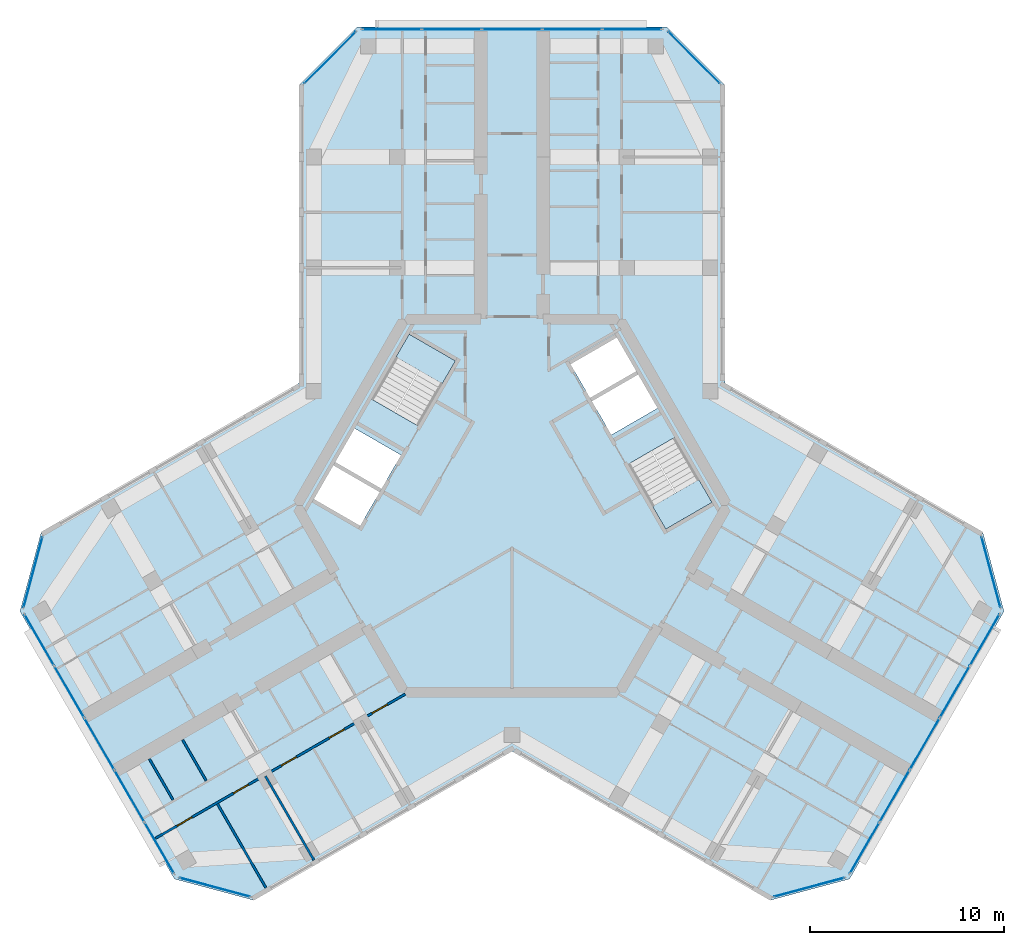
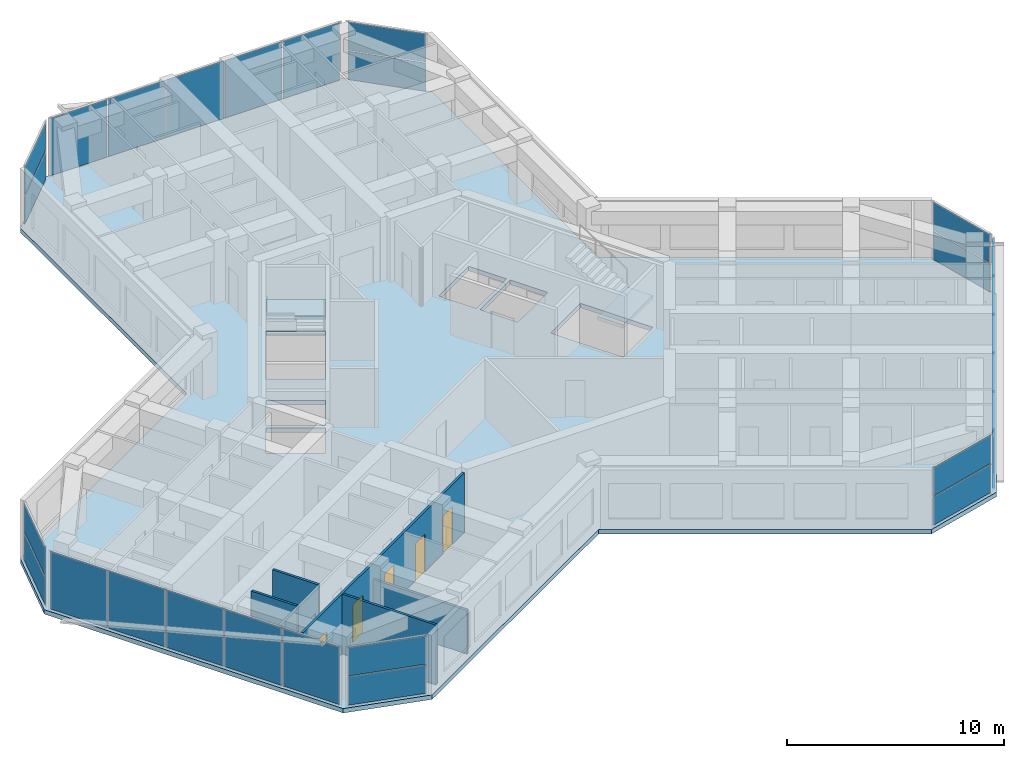
# One storey, part 6 of 14: 27 plates, 5 doors, 5 walls, 3 slabs, 5 openings, 11 elements without a shape of their own.
"""IFC4 building model written with IfcOpenShell, lengths in metres."""

from ifc_helpers import new_model, si_unit, direction, frame, frame_2d, origin, origin_2d, place, context, subcontext, project, spatial, polyline, rectangle, outline, extrude, material, layer, layer_set, type_object, element, fill, aggregate, save


model = new_model("IFC4")

# Units and contexts
model_context = context("Model", 3, precision=1e-05, world=origin(), true_north=direction((0.0, 1.0)))
body_context = subcontext(model_context, "Body", "Model", "MODEL_VIEW")
ifc_project = project(units=[si_unit("LENGTHUNIT", "METRE"), si_unit("AREAUNIT", "SQUARE_METRE"), si_unit("VOLUMEUNIT", "CUBIC_METRE"), si_unit("PLANEANGLEUNIT", "RADIAN"), si_unit("MASSUNIT", "GRAM", prefix="KILO")], contexts=[model_context])

# Site, building, storey
site_placement = place(None, origin())
site = spatial("IfcSite", under=ifc_project, at=site_placement, CompositionType="ELEMENT")
building_placement = place(site_placement, origin())
building = spatial("IfcBuilding", under=site, at=building_placement, Name="Kosmar Iwan School Tower", CompositionType="ELEMENT")
storey_placement = place(building_placement, frame((0.0, 0.0, 271.0)))
storey = spatial("IfcBuildingStorey", under=building, at=storey_placement, Name="L68", CompositionType="ELEMENT", Elevation=271.0)

# Curtain wall, plates
ifc_material_1 = material(Name="Dark glass in black aluminium frame", Category="aluminium")
curtain_wall_type_1 = type_object("IfcCurtainWallType", Name="Chamfer curtain wall dark glass", PredefinedType="USERDEFINED", material=ifc_material_1)
curtain_wall_1_placement = place(storey_placement, origin())
curtain_wall_1 = element("IfcCurtainWall", 1, at=curtain_wall_1_placement, inside=storey, type_object=curtain_wall_type_1, Name="Curtain wall L68-F02", ObjectType="FACETED CURTAIN WALL", PredefinedType="USERDEFINED")
ifc_material_2 = material(Name="Dark glass", Category="glass")
ifc_layer_1 = layer(ifc_material_2, 0.028076171875)
ifc_layer_set_1 = layer_set([ifc_layer_1], Name="Dark glass panel 28")
plate_type = type_object("IfcPlateType", Name="Dark glass panel 28", PredefinedType="CURTAIN_PANEL", material=ifc_layer_set_1)
plate_1_placement = place(storey_placement, frame((15.291015625, -19.63818359375, 0.06005859375), z_axis=(0.0, 0.0, 1.0), x_axis=(0.965925875495, 0.258818861462, 0.0)))
plate_1 = element("IfcPlate", 2, at=plate_1_placement, type_object=plate_type, Name="CW2 panel 1.1", PredefinedType="CURTAIN_PANEL", context=body_context, shape_type="SweptSolid", body=[
    extrude(rectangle(XDim=3.718994140625, YDim=0.028076171875, at=origin_2d()), origin(), (0.0, 0.0, 1.0), 1.5849609375),
])
plate_2_placement = place(storey_placement, frame((15.291015625, -19.63818359375, 1.705078125), z_axis=(0.0, 0.0, 1.0), x_axis=(0.965925875495, 0.258818861462, 0.0)))
plate_2 = element("IfcPlate", 3, at=plate_2_placement, type_object=plate_type, Name="CW2 panel 1.2", PredefinedType="CURTAIN_PANEL", context=body_context, shape_type="SweptSolid", body=[
    extrude(rectangle(XDim=3.718994140625, YDim=0.028076171875, at=origin_2d()), origin(), (0.0, 0.0, 1.0), 1.5849609375),
])
aggregate(curtain_wall_1, [plate_1, plate_2])

ifc_material_3 = material(Name="Dark glass in black aluminium frame", Category="aluminium")
curtain_wall_type_2 = type_object("IfcCurtainWallType", Name="Tower curtain wall dark glass", PredefinedType="USERDEFINED", material=ifc_material_3)
curtain_wall_2_placement = place(storey_placement, origin())
curtain_wall_2 = element("IfcCurtainWall", 4, at=curtain_wall_2_placement, inside=storey, type_object=curtain_wall_type_2, Name="Curtain wall L68-F03", ObjectType="UNITISED CURTAIN WALL", PredefinedType="USERDEFINED")
plate_3_placement = place(storey_placement, frame((18.1474609375, -17.61767578125, 0.06005859375), z_axis=(0.0, 0.0, 1.0), x_axis=(0.499999997325, 0.866025405329, 0.0)))
plate_3 = element("IfcPlate", 5, at=plate_3_placement, type_object=plate_type, Name="CW1 panel 1.1", PredefinedType="CURTAIN_PANEL", context=body_context, shape_type="SweptSolid", body=[
    extrude(rectangle(XDim=3.00927734375, YDim=0.028076171875, at=origin_2d()), origin(), (0.0, 0.0, 1.0), 3.22998046875),
])
plate_4_placement = place(storey_placement, frame((19.689697265625, -14.946533203125, 0.06005859375), z_axis=(0.0, 0.0, 1.0), x_axis=(0.499999997325, 0.866025405329, 0.0)))
plate_4 = element("IfcPlate", 6, at=plate_4_placement, type_object=plate_type, Name="CW1 panel 2.1", PredefinedType="CURTAIN_PANEL", context=body_context, shape_type="SweptSolid", body=[
    extrude(rectangle(XDim=3.039306640625, YDim=0.028076171875, at=origin_2d()), origin(), (0.0, 0.0, 1.0), 3.22998046875),
])
plate_5_placement = place(storey_placement, frame((21.2392578125, -12.262451171875, 0.06005859375), z_axis=(0.0, 0.0, 1.0), x_axis=(0.499999997325, 0.866025405329, 0.0)))
plate_5 = element("IfcPlate", 7, at=plate_5_placement, type_object=plate_type, Name="CW1 panel 3.1", PredefinedType="CURTAIN_PANEL", context=body_context, shape_type="SweptSolid", body=[
    extrude(rectangle(XDim=3.039306640625, YDim=0.028076171875, at=origin_2d()), origin(), (0.0, 0.0, 1.0), 3.22998046875),
])
plate_6_placement = place(storey_placement, frame((22.788818359375, -9.578369140625, 0.06005859375), z_axis=(0.0, 0.0, 1.0), x_axis=(0.499999997325, 0.866025405329, 0.0)))
plate_6 = element("IfcPlate", 8, at=plate_6_placement, type_object=plate_type, Name="CW1 panel 4.1", PredefinedType="CURTAIN_PANEL", context=body_context, shape_type="SweptSolid", body=[
    extrude(rectangle(XDim=3.039306640625, YDim=0.028076171875, at=origin_2d()), origin(), (0.0, 0.0, 1.0), 3.22998046875),
])
plate_7_placement = place(storey_placement, frame((24.3310546875, -6.907470703125, 0.06005859375), z_axis=(0.0, 0.0, 1.0), x_axis=(0.499999997325, 0.866025405329, 0.0)))
plate_7 = element("IfcPlate", 9, at=plate_7_placement, type_object=plate_type, Name="CW1 panel 5.1", PredefinedType="CURTAIN_PANEL", context=body_context, shape_type="SweptSolid", body=[
    extrude(rectangle(XDim=3.00927734375, YDim=0.028076171875, at=origin_2d()), origin(), (0.0, 0.0, 1.0), 3.22998046875),
])
aggregate(curtain_wall_2, [plate_3, plate_4, plate_5, plate_6, plate_7])

curtain_wall_3_placement = place(storey_placement, origin())
curtain_wall_3 = element("IfcCurtainWall", 10, at=curtain_wall_3_placement, inside=storey, type_object=curtain_wall_type_1, Name="Curtain wall L68-F04", ObjectType="FACETED CURTAIN WALL", PredefinedType="USERDEFINED")
plate_8_placement = place(storey_placement, frame((24.65283203125, -3.42333984375, 0.06005859375), z_axis=(0.0, 0.0, 1.0), x_axis=(-0.258818861462, 0.965925875495, 0.0)))
plate_8 = element("IfcPlate", 11, at=plate_8_placement, type_object=plate_type, Name="CW2 panel 1.1", PredefinedType="CURTAIN_PANEL", context=body_context, shape_type="SweptSolid", body=[
    extrude(rectangle(XDim=3.718994140625, YDim=0.028076171875, at=origin_2d()), origin(), (0.0, 0.0, 1.0), 1.5849609375),
])
plate_9_placement = place(storey_placement, frame((24.65283203125, -3.42333984375, 1.705078125), z_axis=(0.0, 0.0, 1.0), x_axis=(-0.258818861462, 0.965925875495, 0.0)))
plate_9 = element("IfcPlate", 12, at=plate_9_placement, type_object=plate_type, Name="CW2 panel 1.2", PredefinedType="CURTAIN_PANEL", context=body_context, shape_type="SweptSolid", body=[
    extrude(rectangle(XDim=3.718994140625, YDim=0.028076171875, at=origin_2d()), origin(), (0.0, 0.0, 1.0), 1.5849609375),
])
aggregate(curtain_wall_3, [plate_8, plate_9])

curtain_wall_4_placement = place(storey_placement, origin())
curtain_wall_4 = element("IfcCurtainWall", 13, at=curtain_wall_4_placement, inside=storey, type_object=curtain_wall_type_1, Name="Curtain wall L68-F07", ObjectType="FACETED CURTAIN WALL", PredefinedType="USERDEFINED")
plate_10_placement = place(storey_placement, frame((9.361572265625, 23.0615234375, 0.06005859375), z_axis=(0.0, 0.0, 1.0), x_axis=(-0.707106781187, 0.707106781187, 0.0)))
plate_10 = element("IfcPlate", 14, at=plate_10_placement, type_object=plate_type, Name="CW2 panel 1.1", PredefinedType="CURTAIN_PANEL", context=body_context, shape_type="SweptSolid", body=[
    extrude(rectangle(XDim=3.718994140625, YDim=0.028076171875, at=origin_2d()), origin(), (0.0, 0.0, 1.0), 1.5849609375),
])
plate_11_placement = place(storey_placement, frame((9.361572265625, 23.0615234375, 1.705078125), z_axis=(0.0, 0.0, 1.0), x_axis=(-0.707106781187, 0.707106781187, 0.0)))
plate_11 = element("IfcPlate", 15, at=plate_11_placement, type_object=plate_type, Name="CW2 panel 1.2", PredefinedType="CURTAIN_PANEL", context=body_context, shape_type="SweptSolid", body=[
    extrude(rectangle(XDim=3.718994140625, YDim=0.028076171875, at=origin_2d()), origin(), (0.0, 0.0, 1.0), 1.5849609375),
])
aggregate(curtain_wall_4, [plate_10, plate_11])

curtain_wall_5_placement = place(storey_placement, origin())
curtain_wall_5 = element("IfcCurtainWall", 16, at=curtain_wall_5_placement, inside=storey, type_object=curtain_wall_type_2, Name="Curtain wall L68-F08", ObjectType="UNITISED CURTAIN WALL", PredefinedType="USERDEFINED")
plate_12_placement = place(storey_placement, frame((6.18359375, 24.52490234375, 0.06005859375), z_axis=(0.0, 0.0, 1.0), x_axis=(-1.0, 0.0, 0.0)))
plate_12 = element("IfcPlate", 17, at=plate_12_placement, type_object=plate_type, Name="CW1 panel 1.1", PredefinedType="CURTAIN_PANEL", context=body_context, shape_type="SweptSolid", body=[
    extrude(rectangle(XDim=3.00927734375, YDim=0.028076171875, at=origin_2d()), origin(), (0.0, 0.0, 1.0), 3.22998046875),
])
plate_13_placement = place(storey_placement, frame((3.099365234375, 24.52490234375, 0.06005859375), z_axis=(0.0, 0.0, 1.0), x_axis=(-1.0, 0.0, 0.0)))
plate_13 = element("IfcPlate", 18, at=plate_13_placement, type_object=plate_type, Name="CW1 panel 2.1", PredefinedType="CURTAIN_PANEL", context=body_context, shape_type="SweptSolid", body=[
    extrude(rectangle(XDim=3.039306640625, YDim=0.028076171875, at=origin_2d()), origin(), (0.0, 0.0, 1.0), 3.22998046875),
])
plate_14_placement = place(storey_placement, frame((0.0, 24.52490234375, 0.06005859375), z_axis=(0.0, 0.0, 1.0), x_axis=(-1.0, 0.0, 0.0)))
plate_14 = element("IfcPlate", 19, at=plate_14_placement, type_object=plate_type, Name="CW1 panel 3.1", PredefinedType="CURTAIN_PANEL", context=body_context, shape_type="SweptSolid", body=[
    extrude(rectangle(XDim=3.039306640625, YDim=0.028076171875, at=origin_2d()), origin(), (0.0, 0.0, 1.0), 3.22998046875),
])
plate_15_placement = place(storey_placement, frame((-3.099365234375, 24.52490234375, 0.06005859375), z_axis=(0.0, 0.0, 1.0), x_axis=(-1.0, 0.0, 0.0)))
plate_15 = element("IfcPlate", 20, at=plate_15_placement, type_object=plate_type, Name="CW1 panel 4.1", PredefinedType="CURTAIN_PANEL", context=body_context, shape_type="SweptSolid", body=[
    extrude(rectangle(XDim=3.039306640625, YDim=0.028076171875, at=origin_2d()), origin(), (0.0, 0.0, 1.0), 3.22998046875),
])
plate_16_placement = place(storey_placement, frame((-6.18359375, 24.52490234375, 0.06005859375), z_axis=(0.0, 0.0, 1.0), x_axis=(-1.0, 0.0, 0.0)))
plate_16 = element("IfcPlate", 21, at=plate_16_placement, type_object=plate_type, Name="CW1 panel 5.1", PredefinedType="CURTAIN_PANEL", context=body_context, shape_type="SweptSolid", body=[
    extrude(rectangle(XDim=3.00927734375, YDim=0.028076171875, at=origin_2d()), origin(), (0.0, 0.0, 1.0), 3.22998046875),
])
aggregate(curtain_wall_5, [plate_12, plate_13, plate_14, plate_15, plate_16])

curtain_wall_6_placement = place(storey_placement, origin())
curtain_wall_6 = element("IfcCurtainWall", 22, at=curtain_wall_6_placement, inside=storey, type_object=curtain_wall_type_1, Name="Curtain wall L68-F09", ObjectType="FACETED CURTAIN WALL", PredefinedType="USERDEFINED")
plate_17_placement = place(storey_placement, frame((-9.361572265625, 23.0615234375, 0.06005859375), z_axis=(0.0, 0.0, 1.0), x_axis=(-0.707106781187, -0.707106781187, 0.0)))
plate_17 = element("IfcPlate", 23, at=plate_17_placement, type_object=plate_type, Name="CW2 panel 1.1", PredefinedType="CURTAIN_PANEL", context=body_context, shape_type="SweptSolid", body=[
    extrude(rectangle(XDim=3.718994140625, YDim=0.028076171875, at=origin_2d()), origin(), (0.0, 0.0, 1.0), 1.5849609375),
])
plate_18_placement = place(storey_placement, frame((-9.361572265625, 23.0615234375, 1.705078125), z_axis=(0.0, 0.0, 1.0), x_axis=(-0.707106781187, -0.707106781187, 0.0)))
plate_18 = element("IfcPlate", 24, at=plate_18_placement, type_object=plate_type, Name="CW2 panel 1.2", PredefinedType="CURTAIN_PANEL", context=body_context, shape_type="SweptSolid", body=[
    extrude(rectangle(XDim=3.718994140625, YDim=0.028076171875, at=origin_2d()), origin(), (0.0, 0.0, 1.0), 1.5849609375),
])
aggregate(curtain_wall_6, [plate_17, plate_18])

curtain_wall_7_placement = place(storey_placement, origin())
curtain_wall_7 = element("IfcCurtainWall", 25, at=curtain_wall_7_placement, inside=storey, type_object=curtain_wall_type_1, Name="Curtain wall L68-F12", ObjectType="FACETED CURTAIN WALL", PredefinedType="USERDEFINED")
plate_19_placement = place(storey_placement, frame((-24.65283203125, -3.42333984375, 0.06005859375), z_axis=(0.0, 0.0, 1.0), x_axis=(-0.258818861462, -0.965925875495, 0.0)))
plate_19 = element("IfcPlate", 26, at=plate_19_placement, type_object=plate_type, Name="CW2 panel 1.1", PredefinedType="CURTAIN_PANEL", context=body_context, shape_type="SweptSolid", body=[
    extrude(rectangle(XDim=3.718994140625, YDim=0.028076171875, at=origin_2d()), origin(), (0.0, 0.0, 1.0), 1.5849609375),
])
plate_20_placement = place(storey_placement, frame((-24.65283203125, -3.42333984375, 1.705078125), z_axis=(0.0, 0.0, 1.0), x_axis=(-0.258818861462, -0.965925875495, 0.0)))
plate_20 = element("IfcPlate", 27, at=plate_20_placement, type_object=plate_type, Name="CW2 panel 1.2", PredefinedType="CURTAIN_PANEL", context=body_context, shape_type="SweptSolid", body=[
    extrude(rectangle(XDim=3.718994140625, YDim=0.028076171875, at=origin_2d()), origin(), (0.0, 0.0, 1.0), 1.5849609375),
])
aggregate(curtain_wall_7, [plate_19, plate_20])

curtain_wall_8_placement = place(storey_placement, origin())
curtain_wall_8 = element("IfcCurtainWall", 28, at=curtain_wall_8_placement, inside=storey, type_object=curtain_wall_type_2, Name="Curtain wall L68-F13", ObjectType="UNITISED CURTAIN WALL", PredefinedType="USERDEFINED")
plate_21_placement = place(storey_placement, frame((-24.3310546875, -6.907470703125, 0.06005859375), z_axis=(0.0, 0.0, 1.0), x_axis=(0.499999997325, -0.866025405329, 0.0)))
plate_21 = element("IfcPlate", 29, at=plate_21_placement, type_object=plate_type, Name="CW1 panel 1.1", PredefinedType="CURTAIN_PANEL", context=body_context, shape_type="SweptSolid", body=[
    extrude(rectangle(XDim=3.00927734375, YDim=0.028076171875, at=origin_2d()), origin(), (0.0, 0.0, 1.0), 3.22998046875),
])
plate_22_placement = place(storey_placement, frame((-22.788818359375, -9.578369140625, 0.06005859375), z_axis=(0.0, 0.0, 1.0), x_axis=(0.499999997325, -0.866025405329, 0.0)))
plate_22 = element("IfcPlate", 30, at=plate_22_placement, type_object=plate_type, Name="CW1 panel 2.1", PredefinedType="CURTAIN_PANEL", context=body_context, shape_type="SweptSolid", body=[
    extrude(rectangle(XDim=3.039306640625, YDim=0.028076171875, at=origin_2d()), origin(), (0.0, 0.0, 1.0), 3.22998046875),
])
plate_23_placement = place(storey_placement, frame((-21.2392578125, -12.262451171875, 0.06005859375), z_axis=(0.0, 0.0, 1.0), x_axis=(0.499999997325, -0.866025405329, 0.0)))
plate_23 = element("IfcPlate", 31, at=plate_23_placement, type_object=plate_type, Name="CW1 panel 3.1", PredefinedType="CURTAIN_PANEL", context=body_context, shape_type="SweptSolid", body=[
    extrude(rectangle(XDim=3.039306640625, YDim=0.028076171875, at=origin_2d()), origin(), (0.0, 0.0, 1.0), 3.22998046875),
])
plate_24_placement = place(storey_placement, frame((-19.689697265625, -14.946533203125, 0.06005859375), z_axis=(0.0, 0.0, 1.0), x_axis=(0.499999997325, -0.866025405329, 0.0)))
plate_24 = element("IfcPlate", 32, at=plate_24_placement, type_object=plate_type, Name="CW1 panel 4.1", PredefinedType="CURTAIN_PANEL", context=body_context, shape_type="SweptSolid", body=[
    extrude(rectangle(XDim=3.039306640625, YDim=0.028076171875, at=origin_2d()), origin(), (0.0, 0.0, 1.0), 3.22998046875),
])
plate_25_placement = place(storey_placement, frame((-18.1474609375, -17.61767578125, 0.06005859375), z_axis=(0.0, 0.0, 1.0), x_axis=(0.499999997325, -0.866025405329, 0.0)))
plate_25 = element("IfcPlate", 33, at=plate_25_placement, type_object=plate_type, Name="CW1 panel 5.1", PredefinedType="CURTAIN_PANEL", context=body_context, shape_type="SweptSolid", body=[
    extrude(rectangle(XDim=3.00927734375, YDim=0.028076171875, at=origin_2d()), origin(), (0.0, 0.0, 1.0), 3.22998046875),
])
aggregate(curtain_wall_8, [plate_21, plate_22, plate_23, plate_24, plate_25])

curtain_wall_9_placement = place(storey_placement, origin())
curtain_wall_9 = element("IfcCurtainWall", 34, at=curtain_wall_9_placement, inside=storey, type_object=curtain_wall_type_1, Name="Curtain wall L68-F14", ObjectType="FACETED CURTAIN WALL", PredefinedType="USERDEFINED")
plate_26_placement = place(storey_placement, frame((-15.291015625, -19.63818359375, 0.06005859375), z_axis=(0.0, 0.0, 1.0), x_axis=(0.965925875495, -0.258818861462, 0.0)))
plate_26 = element("IfcPlate", 35, at=plate_26_placement, type_object=plate_type, Name="CW2 panel 1.1", PredefinedType="CURTAIN_PANEL", context=body_context, shape_type="SweptSolid", body=[
    extrude(rectangle(XDim=3.718994140625, YDim=0.028076171875, at=origin_2d()), origin(), (0.0, 0.0, 1.0), 1.5849609375),
])
plate_27_placement = place(storey_placement, frame((-15.291015625, -19.63818359375, 1.705078125), z_axis=(0.0, 0.0, 1.0), x_axis=(0.965925875495, -0.258818861462, 0.0)))
plate_27 = element("IfcPlate", 36, at=plate_27_placement, type_object=plate_type, Name="CW2 panel 1.2", PredefinedType="CURTAIN_PANEL", context=body_context, shape_type="SweptSolid", body=[
    extrude(rectangle(XDim=3.718994140625, YDim=0.028076171875, at=origin_2d()), origin(), (0.0, 0.0, 1.0), 1.5849609375),
])
aggregate(curtain_wall_9, [plate_26, plate_27])

# Slab
ifc_material_4 = material(Name="Concrete C35/45", Category="concrete")
ifc_layer_2 = layer(ifc_material_4, 0.25)
ifc_layer_set_2 = layer_set([ifc_layer_2], Name="Floor slab 250")
slab_type_1 = type_object("IfcSlabType", Name="Floor slab 250", PredefinedType="FLOOR", material=ifc_layer_set_2)
slab_1_placement = place(storey_placement, frame((0.0, 0.0, -0.25)))
element("IfcSlab", 37, at=slab_1_placement, inside=storey, type_object=slab_type_1, Name="L68 floor slab", PredefinedType="FLOOR", context=body_context, shape_type="SweptSolid", body=[
    extrude(outline(polyline([(-13.2744140625, -20.307861328125), (0.0, -12.64404296875), (13.2744140625, -20.307861328125), (17.37255859375, -19.2099609375), (25.322509765625, -5.440185546875), (24.224365234375, -1.342041015625), (10.949951171875, 6.322021484375), (10.949951171875, 21.64990234375), (7.949951171875, 24.64990234375), (-7.949951171875, 24.64990234375), (-10.949951171875, 21.64990234375), (-10.949951171875, 6.322021484375), (-24.224365234375, -1.342041015625), (-25.322509765625, -5.440185546875), (-17.37255859375, -19.2099609375), (-13.2744140625, -20.307861328125)]), holes=[polyline([(7.91259765625, -1.205078125), (10.294189453125, 0.169921875), (8.3642578125, 3.5126953125), (5.982666015625, 2.1376953125), (7.91259765625, -1.205078125)]), polyline([(-2.91259765625, 7.455078125), (-5.294189453125, 8.830078125), (-7.22412109375, 5.4873046875), (-4.8427734375, 4.1123046875), (-2.91259765625, 7.455078125)]), polyline([(-5.712646484375, 2.60546875), (-8.09423828125, 3.98046875), (-9.09423828125, 2.248291015625), (-6.712646484375, 0.873291015625), (-5.712646484375, 2.60546875)]), polyline([(-6.812744140625, 0.7001953125), (-9.1943359375, 2.0751953125), (-10.1943359375, 0.343017578125), (-7.812744140625, -1.031982421875), (-6.812744140625, 0.7001953125)]), polyline([(5.112548828125, 3.64453125), (7.494140625, 5.01953125), (6.494140625, 6.751708984375), (4.112548828125, 5.376708984375), (5.112548828125, 3.64453125)]), polyline([(4.0126953125, 5.5498046875), (6.394287109375, 6.9248046875), (5.394287109375, 8.656982421875), (3.0126953125, 7.281982421875), (4.0126953125, 5.5498046875)])]), origin(), (0.0, 0.0, 1.0), 0.25),
])

# Stair, slab
ifc_material_5 = material(Name="Concrete C35/45", Category="concrete")
stair_type = type_object("IfcStairType", Name="Core stair 2750", PredefinedType="HALF_TURN_STAIR", material=ifc_material_5)
stair_1_placement = place(storey_placement, origin())
stair_1 = element("IfcStair", 38, at=stair_1_placement, inside=storey, type_object=stair_type, Name="Stair ST2 L68", PredefinedType="HALF_TURN_STAIR")
ifc_material_6 = material(Name="Concrete C35/45", Category="concrete")
ifc_layer_3 = layer(ifc_material_6, 0.199951171875)
ifc_layer_set_3 = layer_set([ifc_layer_3], Name="Stair landing 200")
slab_type_2 = type_object("IfcSlabType", Name="Stair landing 200", PredefinedType="LANDING", material=ifc_layer_set_3)
slab_2_placement = place(storey_placement, frame((0.0, 0.0, 1.60009765625)))
slab_2 = element("IfcSlab", 39, at=slab_2_placement, type_object=slab_type_2, Name="ST2 landing 1", PredefinedType="LANDING", context=body_context, shape_type="SweptSolid", body=[
    extrude(outline(polyline([(-2.91259765625, 7.455078125), (-5.294189453125, 8.830078125), (-5.97412109375, 7.65234375), (-3.5927734375, 6.27734375), (-2.91259765625, 7.455078125)])), origin(), (0.0, 0.0, 1.0), 0.199951171875),
])
aggregate(stair_1, [slab_2])

stair_2_placement = place(storey_placement, origin())
stair_2 = element("IfcStair", 40, at=stair_2_placement, inside=storey, type_object=stair_type, Name="Stair ST1 L68", PredefinedType="HALF_TURN_STAIR")
slab_3_placement = place(storey_placement, frame((0.0, 0.0, 1.60009765625)))
slab_3 = element("IfcSlab", 41, at=slab_3_placement, type_object=slab_type_2, Name="ST1 landing 1", PredefinedType="LANDING", context=body_context, shape_type="SweptSolid", body=[
    extrude(outline(polyline([(7.91259765625, -1.205078125), (10.294189453125, 0.169921875), (9.6142578125, 1.34765625), (7.232666015625, -0.02734375), (7.91259765625, -1.205078125)])), origin(), (0.0, 0.0, 1.0), 0.199951171875),
])
aggregate(stair_2, [slab_3])

# Wall, openings, doors
ifc_material_7 = material(Name="Gypsum board on steel studs", Category="steel")
ifc_layer_4 = layer(ifc_material_7, 0.1201171875)
ifc_layer_set_4 = layer_set([ifc_layer_4], Name="Dwelling partition 120")
wall_type = type_object("IfcWallType", Name="Dwelling partition 120", PredefinedType="PARTITIONING", material=ifc_layer_set_4)
wall_1_placement = place(storey_placement, frame((-5.48876953125, -9.693115234375, 0.0), z_axis=(0.0, 0.0, 1.0), x_axis=(-0.866030301974, -0.499991515992, 0.0)))
wall_1 = element("IfcWall", 42, at=wall_1_placement, inside=storey, type_object=wall_type, Name="Partition L68-BL1-W2", PredefinedType="PARTITIONING", context=body_context, shape_type="SweptSolid", body=[
    extrude(rectangle(XDim=14.844970703125, YDim=0.1201171875, at=frame_2d((7.42236328125, 0.0))), origin(), (0.0, 0.0, 1.0), 3.35009765625),
])
opening_1_placement = place(wall_1_placement, frame((1.074951171875, 0.0, 0.0)))
opening_1 = element("IfcOpeningElement", 43, at=opening_1_placement, cuts=wall_1, Name="Opening D2", PredefinedType="OPENING", context=body_context, shape_type="SweptSolid", body=[
    extrude(rectangle(XDim=0.89990234375, YDim=2.10009765625, at=frame_2d((0.449951171875, 1.050048828125))), frame((0.0, 0.072021484375, 0.0), z_axis=(0.0, -1.0, 0.0), x_axis=(1.0, 0.0, 0.0)), (0.0, 0.0, 1.0), 0.14404296875),
])
opening_2_placement = place(wall_1_placement, frame((3.625, 0.0, 0.0)))
opening_2 = element("IfcOpeningElement", 44, at=opening_2_placement, cuts=wall_1, Name="Opening D2", PredefinedType="OPENING", context=body_context, shape_type="SweptSolid", body=[
    extrude(rectangle(XDim=0.89990234375, YDim=2.10009765625, at=frame_2d((0.449951171875, 1.050048828125))), frame((0.0, 0.072021484375, 0.0), z_axis=(0.0, -1.0, 0.0), x_axis=(1.0, 0.0, 0.0)), (0.0, 0.0, 1.0), 0.14404296875),
])
opening_3_placement = place(wall_1_placement, frame((6.47509765625, 0.0, 0.0)))
opening_3 = element("IfcOpeningElement", 45, at=opening_3_placement, cuts=wall_1, Name="Opening D2", PredefinedType="OPENING", context=body_context, shape_type="SweptSolid", body=[
    extrude(rectangle(XDim=0.89990234375, YDim=2.10009765625, at=frame_2d((0.449951171875, 1.050048828125))), frame((0.0, 0.072021484375, 0.0), z_axis=(0.0, -1.0, 0.0), x_axis=(1.0, 0.0, 0.0)), (0.0, 0.0, 1.0), 0.14404296875),
])
opening_4_placement = place(wall_1_placement, frame((9.324951171875, 0.0, 0.0)))
opening_4 = element("IfcOpeningElement", 46, at=opening_4_placement, cuts=wall_1, Name="Opening D2", PredefinedType="OPENING", context=body_context, shape_type="SweptSolid", body=[
    extrude(rectangle(XDim=0.89990234375, YDim=2.10009765625, at=frame_2d((0.449951171875, 1.050048828125))), frame((0.0, 0.072021484375, 0.0), z_axis=(0.0, -1.0, 0.0), x_axis=(1.0, 0.0, 0.0)), (0.0, 0.0, 1.0), 0.14404296875),
])
opening_5_placement = place(wall_1_placement, frame((12.675048828125, 0.0, 0.0)))
opening_5 = element("IfcOpeningElement", 47, at=opening_5_placement, cuts=wall_1, Name="Opening D2", PredefinedType="OPENING", context=body_context, shape_type="SweptSolid", body=[
    extrude(rectangle(XDim=0.89990234375, YDim=2.10009765625, at=frame_2d((0.449951171875, 1.050048828125))), frame((0.0, 0.072021484375, 0.0), z_axis=(0.0, -1.0, 0.0), x_axis=(1.0, 0.0, 0.0)), (0.0, 0.0, 1.0), 0.14404296875),
])
ifc_material_8 = material(Name="Timber door in timber frame", Category="wood")
door_type = type_object("IfcDoorType", Name="Internal door 900x2100", OperationType="SINGLE_SWING_LEFT", PredefinedType="DOOR", material=ifc_material_8)
door_1_placement = place(opening_1_placement, origin())
door_1 = element("IfcDoor", 48, at=door_1_placement, inside=storey, type_object=door_type, Name="Living room door L68-BL1-F1", OperationType="SINGLE_SWING_LEFT", OverallHeight=2.10009765625, OverallWidth=0.89990234375, PredefinedType="DOOR", context=body_context, shape_type="SweptSolid", body=[
    extrude(rectangle(XDim=0.89990234375, YDim=2.10009765625, at=frame_2d((0.449951171875, 1.050048828125))), frame((0.0, 0.02490234375, 0.0), z_axis=(0.0, -1.0, 0.0), x_axis=(1.0, 0.0, 0.0)), (0.0, 0.0, 1.0), 0.050048828125),
])
fill(opening_1, door_1)
door_2_placement = place(opening_2_placement, origin())
door_2 = element("IfcDoor", 49, at=door_2_placement, inside=storey, type_object=door_type, Name="Study door L68-BL1-F2", OperationType="SINGLE_SWING_RIGHT", OverallHeight=2.10009765625, OverallWidth=0.89990234375, PredefinedType="DOOR", context=body_context, shape_type="SweptSolid", body=[
    extrude(rectangle(XDim=0.89990234375, YDim=2.10009765625, at=frame_2d((0.449951171875, 1.050048828125))), frame((0.0, 0.02490234375, 0.0), z_axis=(0.0, -1.0, 0.0), x_axis=(1.0, 0.0, 0.0)), (0.0, 0.0, 1.0), 0.050048828125),
])
fill(opening_2, door_2)
door_3_placement = place(opening_3_placement, origin())
door_3 = element("IfcDoor", 50, at=door_3_placement, inside=storey, type_object=door_type, Name="Bedroom 2 door L68-BL1-F3", OperationType="SINGLE_SWING_LEFT", OverallHeight=2.10009765625, OverallWidth=0.89990234375, PredefinedType="DOOR", context=body_context, shape_type="SweptSolid", body=[
    extrude(rectangle(XDim=0.89990234375, YDim=2.10009765625, at=frame_2d((0.449951171875, 1.050048828125))), frame((0.0, 0.02490234375, 0.0), z_axis=(0.0, -1.0, 0.0), x_axis=(1.0, 0.0, 0.0)), (0.0, 0.0, 1.0), 0.050048828125),
])
fill(opening_3, door_3)
door_4_placement = place(opening_4_placement, origin())
door_4 = element("IfcDoor", 51, at=door_4_placement, inside=storey, type_object=door_type, Name="Kitchen and dining room door L68-BL1-F4", OperationType="SINGLE_SWING_RIGHT", OverallHeight=2.10009765625, OverallWidth=0.89990234375, PredefinedType="DOOR", context=body_context, shape_type="SweptSolid", body=[
    extrude(rectangle(XDim=0.89990234375, YDim=2.10009765625, at=frame_2d((0.449951171875, 1.050048828125))), frame((0.0, 0.02490234375, 0.0), z_axis=(0.0, -1.0, 0.0), x_axis=(1.0, 0.0, 0.0)), (0.0, 0.0, 1.0), 0.050048828125),
])
fill(opening_4, door_4)
door_5_placement = place(opening_5_placement, origin())
door_5 = element("IfcDoor", 52, at=door_5_placement, inside=storey, type_object=door_type, Name="Bedroom 1 door L68-BL1-F5", OperationType="SINGLE_SWING_RIGHT", OverallHeight=2.10009765625, OverallWidth=0.89990234375, PredefinedType="DOOR", context=body_context, shape_type="SweptSolid", body=[
    extrude(rectangle(XDim=0.89990234375, YDim=2.10009765625, at=frame_2d((0.449951171875, 1.050048828125))), frame((0.0, 0.02490234375, 0.0), z_axis=(0.0, -1.0, 0.0), x_axis=(1.0, 0.0, 0.0)), (0.0, 0.0, 1.0), 0.050048828125),
])
fill(opening_5, door_5)

# Walls
wall_2_placement = place(storey_placement, frame((-12.690185546875, -13.919921875, 0.0), z_axis=(0.0, 0.0, 1.0), x_axis=(0.500011847778, -0.866018563358, 0.0)))
element("IfcWall", 53, at=wall_2_placement, inside=storey, type_object=wall_type, Name="Partition L68-BL1-X3", PredefinedType="PARTITIONING", context=body_context, shape_type="SweptSolid", body=[
    extrude(rectangle(XDim=4.990234375, YDim=0.1201171875, at=frame_2d((2.4951171875, 0.0))), origin(), (0.0, 0.0, 1.0), 2.449951171875),
])
wall_3_placement = place(storey_placement, frame((-15.158447265625, -15.344970703125, 0.0), z_axis=(0.0, 0.0, 1.0), x_axis=(0.500011847778, -0.866018563358, 0.0)))
element("IfcWall", 54, at=wall_3_placement, inside=storey, type_object=wall_type, Name="Partition L68-BL1-X4", PredefinedType="PARTITIONING", context=body_context, shape_type="SweptSolid", body=[
    extrude(rectangle(XDim=4.990234375, YDim=0.1201171875, at=frame_2d((2.4951171875, 0.0))), origin(), (0.0, 0.0, 1.0), 3.35009765625),
])
wall_4_placement = place(storey_placement, frame((-16.9580078125, -12.042236328125, 0.0), z_axis=(0.0, 0.0, 1.0), x_axis=(0.500034220881, -0.866005645448, 0.0)))
element("IfcWall", 55, at=wall_4_placement, inside=storey, type_object=wall_type, Name="Partition L68-BL1-Y5", PredefinedType="PARTITIONING", context=body_context, shape_type="SweptSolid", body=[
    extrude(rectangle(XDim=2.440185546875, YDim=0.1201171875, at=frame_2d((1.22021484375, 0.0))), origin(), (0.0, 0.0, 1.0), 3.35009765625),
])
wall_5_placement = place(storey_placement, frame((-18.665283203125, -13.028076171875, 0.0), z_axis=(0.0, 0.0, 1.0), x_axis=(0.500002508028, -0.866023955769, 0.0)))
element("IfcWall", 56, at=wall_5_placement, inside=storey, type_object=wall_type, Name="Partition L68-BL1-Y6", PredefinedType="PARTITIONING", context=body_context, shape_type="SweptSolid", body=[
    extrude(rectangle(XDim=2.43994140625, YDim=0.1201171875, at=frame_2d((1.219970703125, 0.0))), origin(), (0.0, 0.0, 1.0), 3.35009765625),
])

save(model, "model.ifc")
